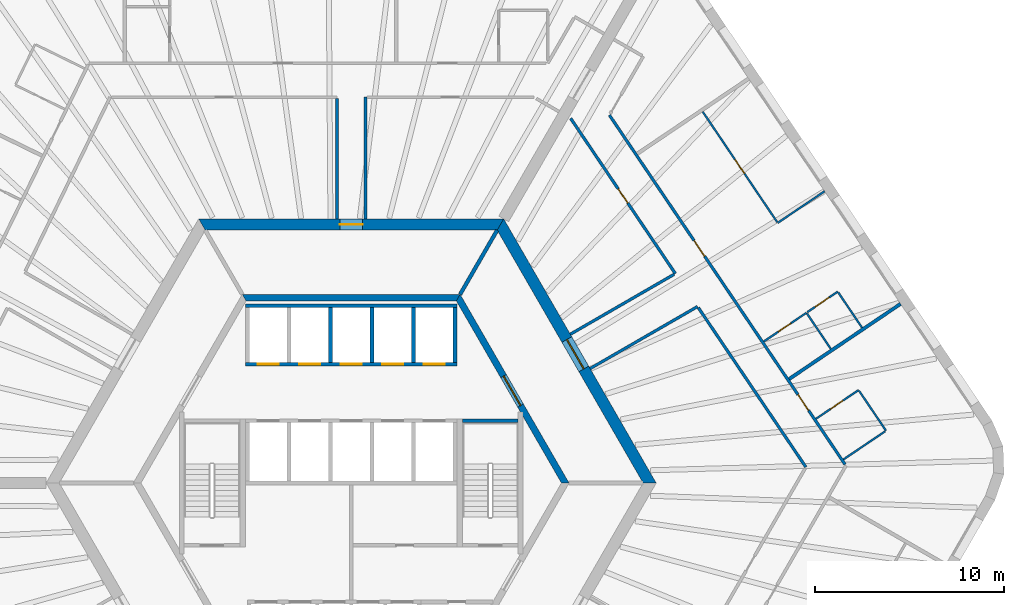
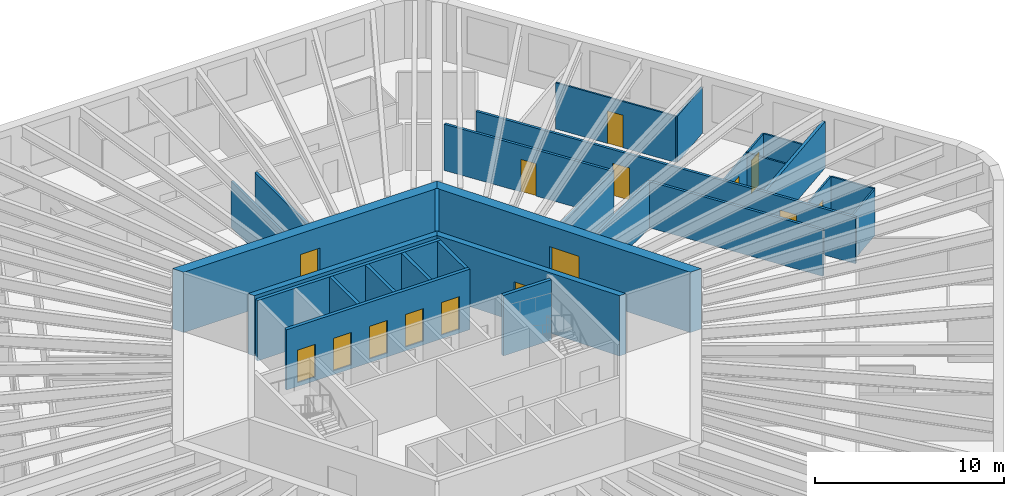
# One storey, part 9 of 11: 29 walls, 15 doors, 15 openings.
"""IFC4 building model written with IfcOpenShell, lengths in metres."""

from ifc_helpers import new_model, si_unit, direction, frame, frame_2d, origin, place, context, subcontext, project, spatial, polyline, rectangle, outline, extrude, material, layer, layer_set, type_object, element, fill, save


model = new_model("IFC4")

# Units and contexts
model_context = context("Model", 3, precision=1e-05, world=origin(), true_north=direction((0.0, 1.0)))
body_context = subcontext(model_context, "Body", "Model", "MODEL_VIEW")
ifc_project = project(units=[si_unit("LENGTHUNIT", "METRE"), si_unit("AREAUNIT", "SQUARE_METRE"), si_unit("VOLUMEUNIT", "CUBIC_METRE"), si_unit("PLANEANGLEUNIT", "RADIAN"), si_unit("MASSUNIT", "GRAM", prefix="KILO")], contexts=[model_context])

# Site, building, storey
site_placement = place(None, origin())
site = spatial("IfcSite", under=ifc_project, at=site_placement, CompositionType="ELEMENT")
building_placement = place(site_placement, origin())
building = spatial("IfcBuilding", under=site, at=building_placement, Name="Tarnside Tower", CompositionType="ELEMENT")
storey_placement = place(building_placement, frame((0.0, 0.0, 103.800048828125)))
storey = spatial("IfcBuildingStorey", under=building, at=storey_placement, Name="L23", CompositionType="ELEMENT", Elevation=103.800048828125)

# Wall, opening, door
ifc_material_1 = material(Name="Gypsum board partition on steel studs", Category="steel")
ifc_layer_1 = layer(ifc_material_1, 0.10009765625)
ifc_layer_set_1 = layer_set([ifc_layer_1], Name="Bathroom wall 100")
wall_type_1 = type_object("IfcWallType", Name="Bathroom wall 100", PredefinedType="PARTITIONING", material=ifc_layer_set_1)
wall_1_placement = place(storey_placement, frame((24.63330078125, 3.4033203125, 0.0), z_axis=(0.0, 0.0, 1.0), x_axis=(0.829047014003, 0.559178905694, 0.0)))
wall_1 = element("IfcWall", 1, at=wall_1_placement, inside=storey, type_object=wall_type_1, Name="Bathroom wall 07145", PredefinedType="PARTITIONING", context=body_context, shape_type="SweptSolid", body=[
    extrude(rectangle(XDim=2.724853515625, YDim=0.10009765625, at=frame_2d((1.3623046875, 0.0))), origin(), (0.0, 0.0, 1.0), 2.98779296875),
])
opening_1_placement = place(wall_1_placement, frame((0.925048828125, 0.0, 0.0)))
opening_1 = element("IfcOpeningElement", 2, at=opening_1_placement, cuts=wall_1, Name="Opening D-B1", PredefinedType="OPENING", context=body_context, shape_type="SweptSolid", body=[
    extrude(rectangle(XDim=0.800048828125, YDim=2.10009765625, at=frame_2d((0.39990234375, 1.050048828125))), frame((0.0, 0.06005859375, 0.0), z_axis=(0.0, -1.0, 0.0), x_axis=(1.0, 0.0, 0.0)), (0.0, 0.0, 1.0), 0.1201171875),
])
ifc_material_2 = material(Name="Timber door leaf", Category="wood")
door_type_1 = type_object("IfcDoorType", Name="Bathroom door 800", OperationType="NOTDEFINED", PredefinedType="DOOR", material=ifc_material_2)
door_1_placement = place(opening_1_placement, origin())
door_1 = element("IfcDoor", 3, at=door_1_placement, inside=storey, type_object=door_type_1, Name="Bathroom door 07036", OperationType="SINGLE_SWING_RIGHT", OverallHeight=2.10009765625, OverallWidth=0.800048828125, PredefinedType="DOOR", context=body_context, shape_type="SweptSolid", body=[
    extrude(rectangle(XDim=0.800048828125, YDim=2.10009765625, at=frame_2d((0.39990234375, 1.050048828125))), frame((0.0, 0.02490234375, 0.0), z_axis=(0.0, -1.0, 0.0), x_axis=(1.0, 0.0, 0.0)), (0.0, 0.0, 1.0), 0.050048828125),
])
fill(opening_1, door_1)

# Walls
wall_2_placement = place(storey_placement, frame((26.92041015625, 4.885498046875, 0.0), z_axis=(0.0, 0.0, 1.0), x_axis=(0.559221247909, -0.829018453285, 0.0)))
element("IfcWall", 4, at=wall_2_placement, inside=storey, type_object=wall_type_1, Name="Bathroom wall 07146", PredefinedType="PARTITIONING", context=body_context, shape_type="SweptSolid", body=[
    extrude(rectangle(XDim=2.550048828125, YDim=0.10009765625, at=frame_2d((1.27490234375, 0.0))), origin(), (0.0, 0.0, 1.0), 2.98779296875),
])
wall_3_placement = place(storey_placement, frame((28.304931640625, 2.74365234375, 0.0), z_axis=(0.0, 0.0, 1.0), x_axis=(-0.82904753069, -0.559178139645, 0.0)))
element("IfcWall", 5, at=wall_3_placement, inside=storey, type_object=wall_type_1, Name="Bathroom wall 07147", PredefinedType="PARTITIONING", context=body_context, shape_type="SweptSolid", body=[
    extrude(rectangle(XDim=2.675048828125, YDim=0.10009765625, at=frame_2d((1.33740234375, 0.0))), origin(), (0.0, 0.0, 1.0), 2.98779296875),
])

# Wall, opening, door
wall_4_placement = place(storey_placement, frame((21.86962890625, 7.50048828125, 0.0), z_axis=(0.0, 0.0, 1.0), x_axis=(0.829005477618, 0.559240483226, 0.0)))
wall_4 = element("IfcWall", 6, at=wall_4_placement, inside=storey, type_object=wall_type_1, Name="Bathroom wall 07151", PredefinedType="PARTITIONING", context=body_context, shape_type="SweptSolid", body=[
    extrude(rectangle(XDim=2.72509765625, YDim=0.10009765625, at=frame_2d((1.362548828125, 0.0))), origin(), (0.0, 0.0, 1.0), 2.98779296875),
])
opening_2_placement = place(wall_4_placement, frame((0.925048828125, 0.0, 0.0)))
opening_2 = element("IfcOpeningElement", 7, at=opening_2_placement, cuts=wall_4, Name="Opening D-B1", PredefinedType="OPENING", context=body_context, shape_type="SweptSolid", body=[
    extrude(rectangle(XDim=0.800048828125, YDim=2.10009765625, at=frame_2d((0.39990234375, 1.050048828125))), frame((0.0, 0.06005859375, 0.0), z_axis=(0.0, -1.0, 0.0), x_axis=(1.0, 0.0, 0.0)), (0.0, 0.0, 1.0), 0.1201171875),
])
door_2_placement = place(opening_2_placement, origin())
door_2 = element("IfcDoor", 8, at=door_2_placement, inside=storey, type_object=door_type_1, Name="Bathroom door 07038", OperationType="SINGLE_SWING_RIGHT", OverallHeight=2.10009765625, OverallWidth=0.800048828125, PredefinedType="DOOR", context=body_context, shape_type="SweptSolid", body=[
    extrude(rectangle(XDim=0.800048828125, YDim=2.10009765625, at=frame_2d((0.39990234375, 1.050048828125))), frame((0.0, 0.02490234375, 0.0), z_axis=(0.0, -1.0, 0.0), x_axis=(1.0, 0.0, 0.0)), (0.0, 0.0, 1.0), 0.050048828125),
])
fill(opening_2, door_2)

# Wall
wall_5_placement = place(storey_placement, frame((25.42041015625, 7.109375, 0.0), z_axis=(0.0, 0.0, 1.0), x_axis=(-0.559179660023, 0.829046505219, 0.0)))
element("IfcWall", 9, at=wall_5_placement, inside=storey, type_object=wall_type_1, Name="Bathroom wall 07157", PredefinedType="PARTITIONING", context=body_context, shape_type="SweptSolid", body=[
    extrude(rectangle(XDim=2.259765625, YDim=0.10009765625, at=frame_2d((1.1298828125, 0.0))), origin(), (0.0, 0.0, 1.0), 2.98779296875),
])

# Wall, opening, door
ifc_material_3 = material(Name="Concrete C50/60", Category="concrete")
ifc_layer_2 = layer(ifc_material_3, 0.35009765625)
ifc_layer_set_2 = layer_set([ifc_layer_2], Name="Core block wall 350 C50/60")
wall_type_2 = type_object("IfcWallType", Name="Core block wall 350 C50/60", PredefinedType="SHEAR", material=ifc_layer_set_2)
wall_6_placement = place(storey_placement, frame((11.344970703125, 0.0, -0.150146484375), z_axis=(0.0, 0.0, 1.0), x_axis=(-0.499995046907, 0.866028263435, 0.0)))
wall_6 = element("IfcWall", 10, at=wall_6_placement, inside=storey, type_object=wall_type_2, Name="L23 core block wall face 6", PredefinedType="SHEAR", context=body_context, shape_type="SweptSolid", body=[
    extrude(outline(polyline([(-0.10107421875, -0.175048828125), (11.44580078125, -0.175048828125), (11.24365234375, 0.175048828125), (0.10107421875, 0.175048828125), (-0.10107421875, -0.175048828125)])), origin(), (0.0, 0.0, 1.0), 3.900146484375),
])
opening_3_placement = place(wall_6_placement, frame((4.74365234375, 0.0, 0.14990234375)))
opening_3 = element("IfcOpeningElement", 11, at=opening_3_placement, cuts=wall_6, Name="Opening CD-LOB", PredefinedType="OPENING", context=body_context, shape_type="SweptSolid", body=[
    extrude(rectangle(XDim=1.800048828125, YDim=2.39990234375, at=frame_2d((0.89990234375, 1.199951171875))), frame((0.0, 0.18505859375, 0.0), z_axis=(0.0, -1.0, 0.0), x_axis=(1.0, 0.0, 0.0)), (0.0, 0.0, 1.0), 0.3701171875),
])
ifc_material_4 = material(Name="Steel fire door", Category="steel")
door_type_2 = type_object("IfcDoorType", Name="Lobby double door FD30S 1800x2400", OperationType="NOTDEFINED", PredefinedType="DOOR", material=ifc_material_4)
door_3_placement = place(opening_3_placement, origin())
door_3 = element("IfcDoor", 12, at=door_3_placement, inside=storey, type_object=door_type_2, Name="L23 lobby block door P2", OperationType="DOUBLE_DOOR_SINGLE_SWING", OverallHeight=2.39990234375, OverallWidth=1.800048828125, PredefinedType="DOOR", context=body_context, shape_type="SweptSolid", body=[
    extrude(rectangle(XDim=1.800048828125, YDim=2.39990234375, at=frame_2d((0.89990234375, 1.199951171875))), frame((0.0, 0.02490234375, 0.0), z_axis=(0.0, -1.0, 0.0), x_axis=(1.0, 0.0, 0.0)), (0.0, 0.0, 1.0), 0.050048828125),
])
fill(opening_3, door_3)

# Wall
wall_7_placement = place(storey_placement, frame((5.672607421875, 9.824951171875, -0.150146484375), z_axis=(0.0, 0.0, 1.0), x_axis=(-1.0, 0.0, 0.0)))
element("IfcWall", 13, at=wall_7_placement, inside=storey, type_object=wall_type_2, Name="L23 core block wall face 1", PredefinedType="SHEAR", context=body_context, shape_type="SweptSolid", body=[
    extrude(outline(polyline([(-0.10107421875, -0.175048828125), (11.4462890625, -0.175048828125), (11.244140625, 0.175048828125), (0.10107421875, 0.175048828125), (-0.10107421875, -0.175048828125)])), origin(), (0.0, 0.0, 1.0), 3.900146484375),
])

# Wall, opening, door
ifc_material_5 = material(Name="Concrete C80/95", Category="concrete")
ifc_layer_3 = layer(ifc_material_5, 0.60009765625)
ifc_layer_set_3 = layer_set([ifc_layer_3], Name="Core wall Z1 600 C80/95")
wall_type_3 = type_object("IfcWallType", Name="Core wall Z1 600 C80/95", PredefinedType="SHEAR", material=ifc_layer_set_3)
wall_8_placement = place(storey_placement, frame((15.8193359375, 0.0, -0.150146484375), z_axis=(0.0, 0.0, 1.0), x_axis=(-0.499999880136, 0.866025472988, 0.0)))
wall_8 = element("IfcWall", 14, at=wall_8_placement, inside=storey, type_object=wall_type_3, Name="L23 core wall face 6", PredefinedType="SHEAR", context=body_context, shape_type="SweptSolid", body=[
    extrude(outline(polyline([(-0.17333984375, -0.300048828125), (15.99267578125, -0.300048828125), (15.64599609375, 0.300048828125), (0.17333984375, 0.300048828125), (-0.17333984375, -0.300048828125)])), origin(), (0.0, 0.0, 1.0), 3.900146484375),
])
opening_4_placement = place(wall_8_placement, frame((6.980712890625, 0.0, 0.14990234375)))
opening_4 = element("IfcOpeningElement", 15, at=opening_4_placement, cuts=wall_8, Name="Opening CD-LOB", PredefinedType="OPENING", context=body_context, shape_type="SweptSolid", body=[
    extrude(rectangle(XDim=1.800048828125, YDim=2.39990234375, at=frame_2d((0.89990234375, 1.199951171875))), frame((0.0, 0.31005859375, 0.0), z_axis=(0.0, -1.0, 0.0), x_axis=(1.0, 0.0, 0.0)), (0.0, 0.0, 1.0), 0.6201171875),
])
door_4_placement = place(opening_4_placement, origin())
door_4 = element("IfcDoor", 16, at=door_4_placement, inside=storey, type_object=door_type_2, Name="L23 core door P2", OperationType="DOUBLE_DOOR_SINGLE_SWING", OverallHeight=2.39990234375, OverallWidth=1.800048828125, PredefinedType="DOOR", context=body_context, shape_type="SweptSolid", body=[
    extrude(rectangle(XDim=1.800048828125, YDim=2.39990234375, at=frame_2d((0.89990234375, 1.199951171875))), frame((0.0, 0.02490234375, 0.0), z_axis=(0.0, -1.0, 0.0), x_axis=(1.0, 0.0, 0.0)), (0.0, 0.0, 1.0), 0.050048828125),
])
fill(opening_4, door_4)

wall_9_placement = place(storey_placement, frame((7.90966796875, 13.699951171875, -0.150146484375), z_axis=(0.0, 0.0, 1.0), x_axis=(-1.0, 0.0, 0.0)))
wall_9 = element("IfcWall", 17, at=wall_9_placement, inside=storey, type_object=wall_type_3, Name="L23 core wall face 1", PredefinedType="SHEAR", context=body_context, shape_type="SweptSolid", body=[
    extrude(outline(polyline([(-0.17333984375, -0.300048828125), (15.99267578125, -0.300048828125), (15.64599609375, 0.300048828125), (0.17333984375, 0.300048828125), (-0.17333984375, -0.300048828125)])), origin(), (0.0, 0.0, 1.0), 3.900146484375),
])
opening_5_placement = place(wall_9_placement, frame((7.309814453125, 0.0, 0.14990234375)))
opening_5 = element("IfcOpeningElement", 18, at=opening_5_placement, cuts=wall_9, Name="Opening CD-RSR", PredefinedType="OPENING", context=body_context, shape_type="SweptSolid", body=[
    extrude(rectangle(XDim=1.199951171875, YDim=2.39990234375, at=frame_2d((0.60009765625, 1.199951171875))), frame((0.0, 0.31005859375, 0.0), z_axis=(0.0, -1.0, 0.0), x_axis=(1.0, 0.0, 0.0)), (0.0, 0.0, 1.0), 0.6201171875),
])
door_type_3 = type_object("IfcDoorType", Name="Riser door FD60 1200x2400", OperationType="NOTDEFINED", PredefinedType="DOOR", material=ifc_material_4)
door_5_placement = place(opening_5_placement, origin())
door_5 = element("IfcDoor", 19, at=door_5_placement, inside=storey, type_object=door_type_3, Name="L23 core door S5", OperationType="SINGLE_SWING_LEFT", OverallHeight=2.39990234375, OverallWidth=1.199951171875, PredefinedType="DOOR", context=body_context, shape_type="SweptSolid", body=[
    extrude(rectangle(XDim=1.199951171875, YDim=2.39990234375, at=frame_2d((0.60009765625, 1.199951171875))), frame((0.0, 0.02490234375, 0.0), z_axis=(0.0, -1.0, 0.0), x_axis=(1.0, 0.0, 0.0)), (0.0, 0.0, 1.0), 0.050048828125),
])
fill(opening_5, door_5)

# Walls
ifc_layer_4 = layer(ifc_material_1, 0.14990234375)
ifc_layer_set_4 = layer_set([ifc_layer_4], Name="Corridor wall 150 EI 60")
wall_type_4 = type_object("IfcWallType", Name="Corridor wall 150 EI 60", PredefinedType="PARTITIONING", material=ifc_layer_set_4)
wall_10_placement = place(storey_placement, frame((-0.75, 20.375, 0.0), z_axis=(0.0, 0.0, 1.0), x_axis=(0.0, -1.0, 0.0)))
element("IfcWall", 20, at=wall_10_placement, inside=storey, type_object=wall_type_4, Name="Corridor wall 07021", PredefinedType="PARTITIONING", context=body_context, shape_type="SweptSolid", body=[
    extrude(rectangle(XDim=6.375, YDim=0.14990234375, at=frame_2d((3.1875, 0.0))), origin(), (0.0, 0.0, 1.0), 2.98779296875),
])
wall_11_placement = place(storey_placement, frame((0.75, 14.0, 0.0), z_axis=(0.0, 0.0, 1.0), x_axis=(0.0, 1.0, 0.0)))
element("IfcWall", 21, at=wall_11_placement, inside=storey, type_object=wall_type_4, Name="Corridor wall 07022", PredefinedType="PARTITIONING", context=body_context, shape_type="SweptSolid", body=[
    extrude(rectangle(XDim=6.449951171875, YDim=0.14990234375, at=frame_2d((3.22509765625, 0.0))), origin(), (0.0, 0.0, 1.0), 2.98779296875),
])

# Wall, openings, doors
wall_12_placement = place(storey_placement, frame((26.174072265625, 0.98486328125, 0.0), z_axis=(0.0, 0.0, 1.0), x_axis=(-0.559192163771, 0.829038071488, 0.0)))
wall_12 = element("IfcWall", 22, at=wall_12_placement, inside=storey, type_object=wall_type_4, Name="Corridor wall 07058", PredefinedType="PARTITIONING", context=body_context, shape_type="SweptSolid", body=[
    extrude(rectangle(XDim=22.33544921875, YDim=0.14990234375, at=frame_2d((11.167724609375, 0.0))), origin(), (0.0, 0.0, 1.0), 2.98779296875),
])
opening_6_placement = place(wall_12_placement, frame((3.462646484375, 0.0, 0.0)))
opening_6 = element("IfcOpeningElement", 23, at=opening_6_placement, cuts=wall_12, Name="Opening D-E1", PredefinedType="OPENING", context=body_context, shape_type="SweptSolid", body=[
    extrude(rectangle(XDim=1.0, YDim=2.10009765625, at=frame_2d((0.5, 1.050048828125))), frame((0.0, 0.0849609375, 0.0), z_axis=(0.0, -1.0, 0.0), x_axis=(1.0, 0.0, 0.0)), (0.0, 0.0, 1.0), 0.169921875),
])
opening_7_placement = place(wall_12_placement, frame((13.308837890625, 0.0, 0.0)))
opening_7 = element("IfcOpeningElement", 24, at=opening_7_placement, cuts=wall_12, Name="Opening D-E1", PredefinedType="OPENING", context=body_context, shape_type="SweptSolid", body=[
    extrude(rectangle(XDim=1.0, YDim=2.10009765625, at=frame_2d((0.5, 1.050048828125))), frame((0.0, 0.0849609375, 0.0), z_axis=(0.0, -1.0, 0.0), x_axis=(1.0, 0.0, 0.0)), (0.0, 0.0, 1.0), 0.169921875),
])
door_type_4 = type_object("IfcDoorType", Name="Unit entrance door 1000 FD30S", OperationType="NOTDEFINED", PredefinedType="DOOR", material=ifc_material_2)
door_6_placement = place(opening_6_placement, origin())
door_6 = element("IfcDoor", 25, at=door_6_placement, inside=storey, type_object=door_type_4, Name="Unit door 07035", OperationType="SINGLE_SWING_LEFT", OverallHeight=2.10009765625, OverallWidth=1.0, PredefinedType="DOOR", context=body_context, shape_type="SweptSolid", body=[
    extrude(rectangle(XDim=1.0, YDim=2.10009765625, at=frame_2d((0.5, 1.050048828125))), frame((0.0, 0.02490234375, 0.0), z_axis=(0.0, -1.0, 0.0), x_axis=(1.0, 0.0, 0.0)), (0.0, 0.0, 1.0), 0.050048828125),
])
fill(opening_6, door_6)
door_7_placement = place(opening_7_placement, origin())
door_7 = element("IfcDoor", 26, at=door_7_placement, inside=storey, type_object=door_type_4, Name="Unit door 07037", OperationType="SINGLE_SWING_RIGHT", OverallHeight=2.10009765625, OverallWidth=1.0, PredefinedType="DOOR", context=body_context, shape_type="SweptSolid", body=[
    extrude(rectangle(XDim=1.0, YDim=2.10009765625, at=frame_2d((0.5, 1.050048828125))), frame((0.0, 0.02490234375, 0.0), z_axis=(0.0, -1.0, 0.0), x_axis=(1.0, 0.0, 0.0)), (0.0, 0.0, 1.0), 0.050048828125),
])
fill(opening_7, door_7)

# Walls
wall_13_placement = place(storey_placement, frame((12.663818359375, 6.065673828125, 0.0), z_axis=(0.0, 0.0, 1.0), x_axis=(0.866027295802, 0.499996722915, 0.0)))
element("IfcWall", 27, at=wall_13_placement, inside=storey, type_object=wall_type_4, Name="Corridor wall 07067", PredefinedType="PARTITIONING", context=body_context, shape_type="SweptSolid", body=[
    extrude(rectangle(XDim=6.5751953125, YDim=0.14990234375, at=frame_2d((3.28759765625, 0.0))), origin(), (0.0, 0.0, 1.0), 2.98779296875),
])
wall_14_placement = place(storey_placement, frame((18.400390625, 9.291015625, 0.0), z_axis=(0.0, 0.0, 1.0), x_axis=(0.559191829043, -0.829038297265, 0.0)))
element("IfcWall", 28, at=wall_14_placement, inside=storey, type_object=wall_type_4, Name="Corridor wall 07068", PredefinedType="PARTITIONING", context=body_context, shape_type="SweptSolid", body=[
    extrude(rectangle(XDim=10.19189453125, YDim=0.14990234375, at=frame_2d((5.095947265625, 0.0))), origin(), (0.0, 0.0, 1.0), 2.98779296875),
])

# Wall, opening, door
wall_15_placement = place(storey_placement, frame((11.631591796875, 19.326171875, 0.0), z_axis=(0.0, 0.0, 1.0), x_axis=(0.559193968377, -0.829036854266, 0.0)))
wall_15 = element("IfcWall", 29, at=wall_15_placement, inside=storey, type_object=wall_type_4, Name="Corridor wall 07074", PredefinedType="PARTITIONING", context=body_context, shape_type="SweptSolid", body=[
    extrude(rectangle(XDim=9.92431640625, YDim=0.14990234375, at=frame_2d((4.962158203125, 0.0))), origin(), (0.0, 0.0, 1.0), 2.98779296875),
])
opening_8_placement = place(wall_15_placement, frame((4.51220703125, 0.0, 0.0)))
opening_8 = element("IfcOpeningElement", 30, at=opening_8_placement, cuts=wall_15, Name="Opening D-S1", PredefinedType="OPENING", context=body_context, shape_type="SweptSolid", body=[
    extrude(rectangle(XDim=0.89990234375, YDim=2.10009765625, at=frame_2d((0.449951171875, 1.050048828125))), frame((0.0, 0.0849609375, 0.0), z_axis=(0.0, -1.0, 0.0), x_axis=(1.0, 0.0, 0.0)), (0.0, 0.0, 1.0), 0.169921875),
])
door_type_5 = type_object("IfcDoorType", Name="Service room door 900 FD30S", OperationType="NOTDEFINED", PredefinedType="DOOR", material=ifc_material_2)
door_8_placement = place(opening_8_placement, origin())
door_8 = element("IfcDoor", 31, at=door_8_placement, inside=storey, type_object=door_type_5, Name="Service door 07050", OperationType="SINGLE_SWING_LEFT", OverallHeight=2.10009765625, OverallWidth=0.89990234375, PredefinedType="DOOR", context=body_context, shape_type="SweptSolid", body=[
    extrude(rectangle(XDim=0.89990234375, YDim=2.10009765625, at=frame_2d((0.449951171875, 1.050048828125))), frame((0.0, 0.02490234375, 0.0), z_axis=(0.0, -1.0, 0.0), x_axis=(1.0, 0.0, 0.0)), (0.0, 0.0, 1.0), 0.050048828125),
])
fill(opening_8, door_8)

# Walls
wall_16_placement = place(storey_placement, frame((17.115966796875, 11.06103515625, 0.0), z_axis=(0.0, 0.0, 1.0), x_axis=(-0.866021127751, -0.500007406234, 0.0)))
element("IfcWall", 32, at=wall_16_placement, inside=storey, type_object=wall_type_4, Name="Corridor wall 07075", PredefinedType="PARTITIONING", context=body_context, shape_type="SweptSolid", body=[
    extrude(rectangle(XDim=6.353515625, YDim=0.14990234375, at=frame_2d((3.1767578125, 0.0))), origin(), (0.0, 0.0, 1.0), 2.98779296875),
])
ifc_layer_5 = layer(ifc_material_1, 0.179931640625)
ifc_layer_set_5 = layer_set([ifc_layer_5], Name="Demising wall 180 EI 60")
wall_type_5 = type_object("IfcWallType", Name="Demising wall 180 EI 60", PredefinedType="PARTITIONING", material=ifc_layer_set_5)
wall_17_placement = place(storey_placement, frame((29.11865234375, 9.4951171875, 0.0), z_axis=(0.0, 0.0, 1.0), x_axis=(-0.829049225145, -0.559175627408, 0.0)))
element("IfcWall", 33, at=wall_17_placement, inside=storey, type_object=wall_type_5, Name="Demising wall 07148", PredefinedType="PARTITIONING", context=body_context, shape_type="SweptSolid", body=[
    extrude(rectangle(XDim=7.125, YDim=0.179931640625, at=frame_2d((3.5625, 0.0))), origin(), (0.0, 0.0, 1.0), 2.98779296875),
])

# Wall, openings, doors
ifc_material_6 = material(Name="Concrete C40/50", Category="concrete")
ifc_layer_6 = layer(ifc_material_6, 0.199951171875)
ifc_layer_set_6 = layer_set([ifc_layer_6], Name="Lift shaft wall 200 C40/50")
wall_type_6 = type_object("IfcWallType", Name="Lift shaft wall 200 C40/50", PredefinedType="SHEAR", material=ifc_layer_set_6)
wall_18_placement = place(storey_placement, frame((-5.60009765625, 6.300048828125, -0.25), z_axis=(0.0, 0.0, 1.0), x_axis=(1.0, 0.0, 0.0)))
wall_18 = element("IfcWall", 34, at=wall_18_placement, inside=storey, type_object=wall_type_6, Name="L23 lift shaft front wall R1", PredefinedType="SHEAR", context=body_context, shape_type="SweptSolid", body=[
    extrude(rectangle(XDim=11.2001953125, YDim=0.199951171875, at=frame_2d((5.60009765625, 0.0))), origin(), (0.0, 0.0, 1.0), 3.89990234375),
])
opening_9_placement = place(wall_18_placement, frame((0.64990234375, 0.0, 0.25)))
opening_9 = element("IfcOpeningElement", 35, at=opening_9_placement, cuts=wall_18, Name="Opening LD", PredefinedType="OPENING", context=body_context, shape_type="SweptSolid", body=[
    extrude(rectangle(XDim=1.10009765625, YDim=2.10009765625, at=frame_2d((0.550048828125, 1.050048828125))), frame((0.0, 0.10986328125, 0.0), z_axis=(0.0, -1.0, 0.0), x_axis=(1.0, 0.0, 0.0)), (0.0, 0.0, 1.0), 0.219970703125),
])
opening_10_placement = place(wall_18_placement, frame((2.85009765625, 0.0, 0.25)))
opening_10 = element("IfcOpeningElement", 36, at=opening_10_placement, cuts=wall_18, Name="Opening LD", PredefinedType="OPENING", context=body_context, shape_type="SweptSolid", body=[
    extrude(rectangle(XDim=1.10009765625, YDim=2.10009765625, at=frame_2d((0.550048828125, 1.050048828125))), frame((0.0, 0.10986328125, 0.0), z_axis=(0.0, -1.0, 0.0), x_axis=(1.0, 0.0, 0.0)), (0.0, 0.0, 1.0), 0.219970703125),
])
opening_11_placement = place(wall_18_placement, frame((5.050048828125, 0.0, 0.25)))
opening_11 = element("IfcOpeningElement", 37, at=opening_11_placement, cuts=wall_18, Name="Opening LD", PredefinedType="OPENING", context=body_context, shape_type="SweptSolid", body=[
    extrude(rectangle(XDim=1.10009765625, YDim=2.10009765625, at=frame_2d((0.550048828125, 1.050048828125))), frame((0.0, 0.10986328125, 0.0), z_axis=(0.0, -1.0, 0.0), x_axis=(1.0, 0.0, 0.0)), (0.0, 0.0, 1.0), 0.219970703125),
])
opening_12_placement = place(wall_18_placement, frame((7.25, 0.0, 0.25)))
opening_12 = element("IfcOpeningElement", 38, at=opening_12_placement, cuts=wall_18, Name="Opening LD", PredefinedType="OPENING", context=body_context, shape_type="SweptSolid", body=[
    extrude(rectangle(XDim=1.10009765625, YDim=2.10009765625, at=frame_2d((0.550048828125, 1.050048828125))), frame((0.0, 0.10986328125, 0.0), z_axis=(0.0, -1.0, 0.0), x_axis=(1.0, 0.0, 0.0)), (0.0, 0.0, 1.0), 0.219970703125),
])
opening_13_placement = place(wall_18_placement, frame((9.449951171875, 0.0, 0.25)))
opening_13 = element("IfcOpeningElement", 39, at=opening_13_placement, cuts=wall_18, Name="Opening LD", PredefinedType="OPENING", context=body_context, shape_type="SweptSolid", body=[
    extrude(rectangle(XDim=1.10009765625, YDim=2.10009765625, at=frame_2d((0.550048828125, 1.050048828125))), frame((0.0, 0.10986328125, 0.0), z_axis=(0.0, -1.0, 0.0), x_axis=(1.0, 0.0, 0.0)), (0.0, 0.0, 1.0), 0.219970703125),
])
ifc_material_7 = material(Name="Stainless steel", Category="steel")
door_type_6 = type_object("IfcDoorType", Name="Lift landing door 1100x2100", OperationType="NOTDEFINED", PredefinedType="DOOR", material=ifc_material_7)
door_9_placement = place(opening_9_placement, origin())
door_9 = element("IfcDoor", 40, at=door_9_placement, inside=storey, type_object=door_type_6, Name="Low-rise lift 1 landing door L23", OperationType="SLIDING_TO_LEFT", OverallHeight=2.10009765625, OverallWidth=1.10009765625, PredefinedType="DOOR", context=body_context, shape_type="SweptSolid", body=[
    extrude(rectangle(XDim=1.10009765625, YDim=2.10009765625, at=frame_2d((0.550048828125, 1.050048828125))), frame((0.0, 0.02490234375, 0.0), z_axis=(0.0, -1.0, 0.0), x_axis=(1.0, 0.0, 0.0)), (0.0, 0.0, 1.0), 0.050048828125),
])
fill(opening_9, door_9)
door_10_placement = place(opening_10_placement, origin())
door_10 = element("IfcDoor", 41, at=door_10_placement, inside=storey, type_object=door_type_6, Name="Low-rise lift 2 landing door L23", OperationType="SLIDING_TO_LEFT", OverallHeight=2.10009765625, OverallWidth=1.10009765625, PredefinedType="DOOR", context=body_context, shape_type="SweptSolid", body=[
    extrude(rectangle(XDim=1.10009765625, YDim=2.10009765625, at=frame_2d((0.550048828125, 1.050048828125))), frame((0.0, 0.02490234375, 0.0), z_axis=(0.0, -1.0, 0.0), x_axis=(1.0, 0.0, 0.0)), (0.0, 0.0, 1.0), 0.050048828125),
])
fill(opening_10, door_10)
door_11_placement = place(opening_11_placement, origin())
door_11 = element("IfcDoor", 42, at=door_11_placement, inside=storey, type_object=door_type_6, Name="Low-rise lift 3 landing door L23", OperationType="SLIDING_TO_LEFT", OverallHeight=2.10009765625, OverallWidth=1.10009765625, PredefinedType="DOOR", context=body_context, shape_type="SweptSolid", body=[
    extrude(rectangle(XDim=1.10009765625, YDim=2.10009765625, at=frame_2d((0.550048828125, 1.050048828125))), frame((0.0, 0.02490234375, 0.0), z_axis=(0.0, -1.0, 0.0), x_axis=(1.0, 0.0, 0.0)), (0.0, 0.0, 1.0), 0.050048828125),
])
fill(opening_11, door_11)
door_12_placement = place(opening_12_placement, origin())
door_12 = element("IfcDoor", 43, at=door_12_placement, inside=storey, type_object=door_type_6, Name="Low sky-lobby shuttle 1 landing door L23", OperationType="SLIDING_TO_LEFT", OverallHeight=2.10009765625, OverallWidth=1.10009765625, PredefinedType="DOOR", context=body_context, shape_type="SweptSolid", body=[
    extrude(rectangle(XDim=1.10009765625, YDim=2.10009765625, at=frame_2d((0.550048828125, 1.050048828125))), frame((0.0, 0.02490234375, 0.0), z_axis=(0.0, -1.0, 0.0), x_axis=(1.0, 0.0, 0.0)), (0.0, 0.0, 1.0), 0.050048828125),
])
fill(opening_12, door_12)
door_13_placement = place(opening_13_placement, origin())
door_13 = element("IfcDoor", 44, at=door_13_placement, inside=storey, type_object=door_type_6, Name="Low sky-lobby shuttle 2 landing door L23", OperationType="SLIDING_TO_LEFT", OverallHeight=2.10009765625, OverallWidth=1.10009765625, PredefinedType="DOOR", context=body_context, shape_type="SweptSolid", body=[
    extrude(rectangle(XDim=1.10009765625, YDim=2.10009765625, at=frame_2d((0.550048828125, 1.050048828125))), frame((0.0, 0.02490234375, 0.0), z_axis=(0.0, -1.0, 0.0), x_axis=(1.0, 0.0, 0.0)), (0.0, 0.0, 1.0), 0.050048828125),
])
fill(opening_13, door_13)

# Walls
wall_19_placement = place(storey_placement, frame((-5.60009765625, 9.39990234375, -0.25), z_axis=(0.0, 0.0, 1.0), x_axis=(1.0, 0.0, 0.0)))
element("IfcWall", 45, at=wall_19_placement, inside=storey, type_object=wall_type_6, Name="L23 lift shaft back wall R1", PredefinedType="SHEAR", context=body_context, shape_type="SweptSolid", body=[
    extrude(rectangle(XDim=11.2001953125, YDim=0.199951171875, at=frame_2d((5.60009765625, 0.0))), origin(), (0.0, 0.0, 1.0), 3.89990234375),
])
for number, where, z_axis, x_axis, name in (
    (46, (-1.10009765625, 6.39990234375, -0.25), (0.0, 0.0, 1.0), (0.0, 1.0, 0.0), "L23 lift shaft partition R13"),
    (47, (1.10009765625, 6.39990234375, -0.25), (0.0, 0.0, 1.0), (0.0, 1.0, 0.0), "L23 lift shaft partition R14"),
    (48, (3.300048828125, 6.39990234375, -0.25), (0.0, 0.0, 1.0), (0.0, 1.0, 0.0), "L23 lift shaft partition R15"),
    (49, (5.5, 6.39990234375, -0.25), (0.0, 0.0, 1.0), (0.0, 1.0, 0.0), "L23 lift shaft partition R16"),
):
    element("IfcWall", number, at=place(storey_placement, frame(where, z_axis=z_axis, x_axis=x_axis)), inside=storey, type_object=wall_type_6, Name=name, PredefinedType="SHEAR", context=body_context, shape_type="SweptSolid", body=[
        extrude(rectangle(XDim=2.900146484375, YDim=0.199951171875, at=frame_2d((1.4501953125, 0.0))), origin(), (0.0, 0.0, 1.0), 3.89990234375),
    ])
wall_20_placement = place(storey_placement, frame((5.7734375, 10.0, -0.150146484375), z_axis=(0.0, 0.0, 1.0), x_axis=(0.500038251005, 0.86600331843, 0.0)))
element("IfcWall", 50, at=wall_20_placement, inside=storey, type_object=wall_type_6, Name="L23 core partition AR60", PredefinedType="SHEAR", context=body_context, shape_type="SweptSolid", body=[
    extrude(rectangle(XDim=3.926025390625, YDim=0.199951171875, at=frame_2d((1.962890625, 0.0))), origin(), (0.0, 0.0, 1.0), 3.900146484375),
])
wall_21_placement = place(storey_placement, frame((5.89990234375, 3.300048828125, -0.25), z_axis=(0.0, 0.0, 1.0), x_axis=(1.0, 0.0, 0.0)))
element("IfcWall", 51, at=wall_21_placement, inside=storey, type_object=wall_type_6, Name="L23 stair 1 enclosure cap wall n", PredefinedType="SHEAR", context=body_context, shape_type="SweptSolid", body=[
    extrude(rectangle(XDim=2.9501953125, YDim=0.199951171875, at=frame_2d((1.47509765625, 0.0))), origin(), (0.0, 0.0, 1.0), 3.89990234375),
])

# Wall, opening, door
ifc_layer_7 = layer(ifc_material_1, 0.10009765625)
ifc_layer_set_7 = layer_set([ifc_layer_7], Name="Partition 100")
wall_type_7 = type_object("IfcWallType", Name="Partition 100", PredefinedType="PARTITIONING", material=ifc_layer_set_7)
wall_22_placement = place(storey_placement, frame((24.170166015625, 9.05224609375, 0.0), z_axis=(0.0, 0.0, 1.0), x_axis=(0.829014089772, 0.559227716552, 0.0)))
wall_22 = element("IfcWall", 52, at=wall_22_placement, inside=storey, type_object=wall_type_7, Name="Partition wall 07152", PredefinedType="PARTITIONING", context=body_context, shape_type="SweptSolid", body=[
    extrude(rectangle(XDim=1.9501953125, YDim=0.10009765625, at=frame_2d((0.97509765625, 0.0))), origin(), (0.0, 0.0, 1.0), 2.98779296875),
])
opening_14_placement = place(wall_22_placement, frame((0.5, 0.0, 0.0)))
opening_14 = element("IfcOpeningElement", 53, at=opening_14_placement, cuts=wall_22, Name="Opening D-I1", PredefinedType="OPENING", context=body_context, shape_type="SweptSolid", body=[
    extrude(rectangle(XDim=0.89990234375, YDim=2.10009765625, at=frame_2d((0.449951171875, 1.050048828125))), frame((0.0, 0.06005859375, 0.0), z_axis=(0.0, -1.0, 0.0), x_axis=(1.0, 0.0, 0.0)), (0.0, 0.0, 1.0), 0.1201171875),
])
door_type_7 = type_object("IfcDoorType", Name="Internal door 900", OperationType="NOTDEFINED", PredefinedType="DOOR", material=ifc_material_2)
door_14_placement = place(opening_14_placement, origin())
door_14 = element("IfcDoor", 54, at=door_14_placement, inside=storey, type_object=door_type_7, Name="Internal door 07039", OperationType="SINGLE_SWING_LEFT", OverallHeight=2.10009765625, OverallWidth=0.89990234375, PredefinedType="DOOR", context=body_context, shape_type="SweptSolid", body=[
    extrude(rectangle(XDim=0.89990234375, YDim=2.10009765625, at=frame_2d((0.449951171875, 1.050048828125))), frame((0.0, 0.02490234375, 0.0), z_axis=(0.0, -1.0, 0.0), x_axis=(1.0, 0.0, 0.0)), (0.0, 0.0, 1.0), 0.050048828125),
])
fill(opening_14, door_14)

# Walls
wall_23_placement = place(storey_placement, frame((25.814697265625, 10.101318359375, 0.0), z_axis=(0.0, 0.0, 1.0), x_axis=(0.559253906445, -0.828996422264, 0.0)))
element("IfcWall", 55, at=wall_23_placement, inside=storey, type_object=wall_type_7, Name="Partition wall 07153", PredefinedType="PARTITIONING", context=body_context, shape_type="SweptSolid", body=[
    extrude(rectangle(XDim=2.260009765625, YDim=0.10009765625, at=frame_2d((1.1298828125, 0.0))), origin(), (0.0, 0.0, 1.0), 2.98779296875),
])
wall_24_placement = place(storey_placement, frame((25.09228515625, 15.464111328125, 0.0), z_axis=(0.0, 0.0, 1.0), x_axis=(-0.829045807101, -0.559180695061, 0.0)))
element("IfcWall", 56, at=wall_24_placement, inside=storey, type_object=wall_type_7, Name="Partition wall 07154", PredefinedType="PARTITIONING", context=body_context, shape_type="SweptSolid", body=[
    extrude(rectangle(XDim=3.0, YDim=0.10009765625, at=frame_2d((1.5, 0.0))), origin(), (0.0, 0.0, 1.0), 2.98779296875),
])

# Wall, opening, door
wall_25_placement = place(storey_placement, frame((22.577392578125, 13.828125, 0.0), z_axis=(0.0, 0.0, 1.0), x_axis=(-0.559200813603, 0.829032237049, 0.0)))
wall_25 = element("IfcWall", 57, at=wall_25_placement, inside=storey, type_object=wall_type_7, Name="Partition wall 07155", PredefinedType="PARTITIONING", context=body_context, shape_type="SweptSolid", body=[
    extrude(rectangle(XDim=7.06005859375, YDim=0.10009765625, at=frame_2d((3.530029296875, 0.0))), origin(), (0.0, 0.0, 1.0), 2.98779296875),
])
opening_15_placement = place(wall_25_placement, frame((3.10009765625, 0.0, 0.0)))
opening_15 = element("IfcOpeningElement", 58, at=opening_15_placement, cuts=wall_25, Name="Opening D-I1", PredefinedType="OPENING", context=body_context, shape_type="SweptSolid", body=[
    extrude(rectangle(XDim=0.89990234375, YDim=2.10009765625, at=frame_2d((0.449951171875, 1.050048828125))), frame((0.0, 0.06005859375, 0.0), z_axis=(0.0, -1.0, 0.0), x_axis=(1.0, 0.0, 0.0)), (0.0, 0.0, 1.0), 0.1201171875),
])
door_15_placement = place(opening_15_placement, origin())
door_15 = element("IfcDoor", 59, at=door_15_placement, inside=storey, type_object=door_type_7, Name="Internal door 07040", OperationType="SINGLE_SWING_LEFT", OverallHeight=2.10009765625, OverallWidth=0.89990234375, PredefinedType="DOOR", context=body_context, shape_type="SweptSolid", body=[
    extrude(rectangle(XDim=0.89990234375, YDim=2.10009765625, at=frame_2d((0.449951171875, 1.050048828125))), frame((0.0, 0.02490234375, 0.0), z_axis=(0.0, -1.0, 0.0), x_axis=(1.0, 0.0, 0.0)), (0.0, 0.0, 1.0), 0.050048828125),
])
fill(opening_15, door_15)

save(model, "model.ifc")
